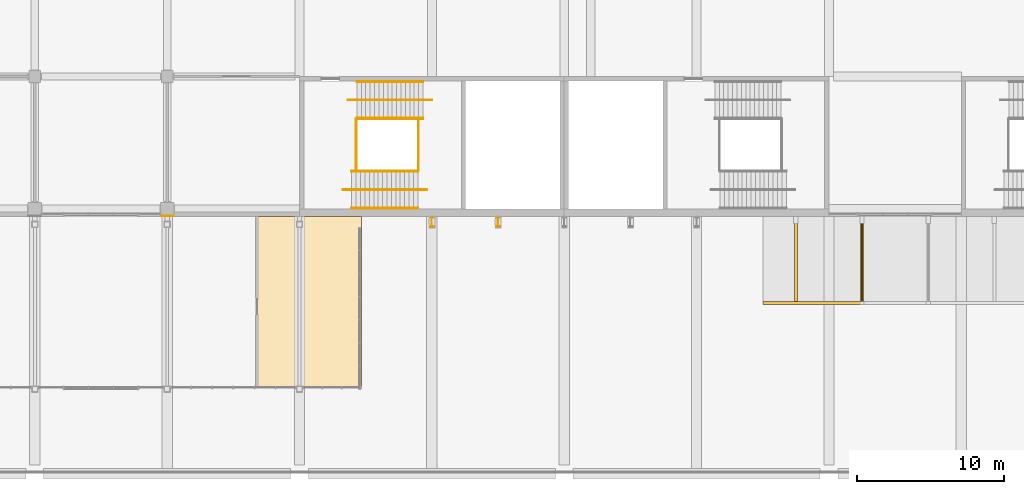
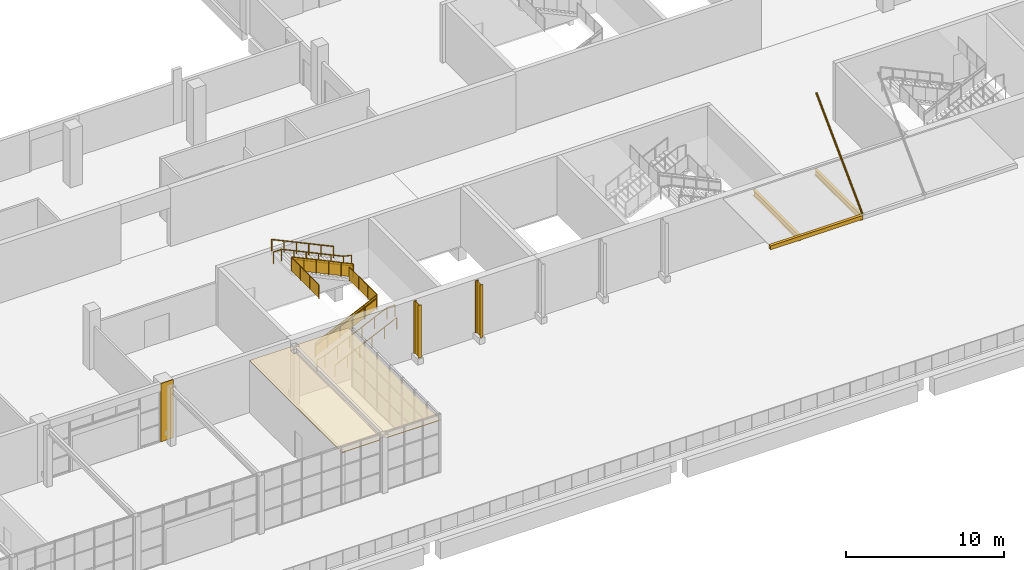
# One storey, part 150 of 168: 10 railings, 6 shading devices, 2 coverings.
"""IFC4 building model written with IfcOpenShell, lengths in metres."""

from ifc_helpers import new_model, si_unit, direction, frame, origin, origin_2d, place, context, subcontext, project, spatial, polyline, hollow_rectangle, circle, hollow_circle, i_section, outline, extrude, material, layer, layer_set, material_profile, profile_set, type_object, element, save


model = new_model("IFC4")

# Units and contexts
model_context = context("Model", 3, precision=1e-05, world=origin(), true_north=direction((0.0, 1.0)))
body_context = subcontext(model_context, "Body", "Model", "MODEL_VIEW")
ifc_project = project(units=[si_unit("LENGTHUNIT", "METRE"), si_unit("AREAUNIT", "SQUARE_METRE"), si_unit("VOLUMEUNIT", "CUBIC_METRE"), si_unit("PLANEANGLEUNIT", "RADIAN"), si_unit("MASSUNIT", "GRAM", prefix="KILO")], contexts=[model_context])

# Site, building, storey
site_placement = place(None, origin())
site = spatial("IfcSite", under=ifc_project, at=site_placement, CompositionType="ELEMENT")
building_placement = place(site_placement, origin())
building = spatial("IfcBuilding", under=site, at=building_placement, Name="Silverbay Arena", CompositionType="ELEMENT")
storey_placement = place(building_placement, frame((0.0, 0.0, 7.0)))
storey = spatial("IfcBuildingStorey", under=building, at=storey_placement, Name="L01", CompositionType="ELEMENT", Elevation=7.0)

# Coverings
ifc_material_1 = material(Name="Aluminium composite cladding", Category="aluminium")
ifc_layer_1 = layer(ifc_material_1, 0.050048828125)
ifc_layer_set_1 = layer_set([ifc_layer_1], Name="Aluminium composite cladding")
covering_type_1 = type_object("IfcCoveringType", Name="Column cladding 50", PredefinedType="CLADDING", material=ifc_layer_set_1)
covering_1_placement = place(storey_placement, origin())
element("IfcCovering", 1, at=covering_1_placement, inside=storey, type_object=covering_type_1, Name="South column cladding L01 3", PredefinedType="CLADDING", context=body_context, shape_type="SweptSolid", body=[
    extrude(outline(polyline([(134.550048828125, 17.5), (135.449951171875, 17.5), (135.449951171875, 17.550048828125), (134.550048828125, 17.550048828125), (134.550048828125, 17.5)])), origin(), (0.0, 0.0, 1.0), 4.5),
])
ifc_material_2 = material(Name="Fire-resisting board ceiling")
ifc_layer_2 = layer(ifc_material_2, 0.050048828125)
ifc_layer_set_2 = layer_set([ifc_layer_2], Name="Fire-resisting board ceiling")
covering_type_2 = type_object("IfcCoveringType", Name="Fire-resisting ceiling EI 120", PredefinedType="CEILING", material=ifc_layer_set_2)
covering_2_placement = place(storey_placement, frame((0.0, 0.0, 3.98291015625)))
element("IfcCovering", 2, at=covering_2_placement, inside=storey, type_object=covering_type_2, Name="Staff room ceiling", PredefinedType="CEILING", context=body_context, shape_type="SweptSolid", body=[
    extrude(outline(polyline([(143.800048828125, 5.81005859375), (143.800048828125, 5.949951171875), (144.199951171875, 5.949951171875), (144.199951171875, 5.81005859375), (148.199951171875, 5.81005859375), (148.199951171875, 17.5), (141.0, 17.5), (141.0, 5.81005859375), (143.800048828125, 5.81005859375)]), holes=[polyline([(144.199951171875, 17.14990234375), (144.199951171875, 16.75), (143.800048828125, 16.75), (143.800048828125, 17.14990234375), (144.199951171875, 17.14990234375)])]), origin(), (0.0, 0.0, 1.0), 0.050048828125),
])

# Shading devices
ifc_material_3 = material(Name="Steel S355", Category="steel")
ifc_material_profile_1 = material_profile(ifc_material_3, i_section(OverallWidth=0.18994140625, OverallDepth=0.453369140625, WebThickness=0.008544921875, FlangeThickness=0.0126953125, at=origin_2d()), Name="UB 457x191x67")
ifc_profile_set_1 = profile_set([ifc_material_profile_1], Name="Steel S355")
shading_device_type_1 = type_object("IfcShadingDeviceType", Name="Marquee cantilever beam UB 457x191x67", PredefinedType="USERDEFINED", material=ifc_profile_set_1)
for number, where, z_axis, x_axis, name in (
    (3, (177.75, 17.5, 4.126708984375), (0.0, -1.0, 0.0), (1.0, 0.0, 0.0), "South marquee beam L01 bay 18.1"),
    (4, (182.25, 17.5, 4.126708984375), (0.0, -1.0, 0.0), (1.0, 0.0, 0.0), "South marquee beam L01 bay 18.2"),
):
    element("IfcShadingDevice", number, at=place(storey_placement, frame(where, z_axis=z_axis, x_axis=x_axis)), inside=storey, type_object=shading_device_type_1, Name=name, ObjectType="MARQUEE FRAME", PredefinedType="USERDEFINED", context=body_context, shape_type="SweptSolid", body=[
        extrude(i_section(OverallWidth=0.18994140625, OverallDepth=0.453369140625, WebThickness=0.008544921875, FlangeThickness=0.0126953125, at=origin_2d()), origin(), (0.0, 0.0, 1.0), 5.800048828125),
    ])
ifc_material_4 = material(Name="Steel S355", Category="steel")
ifc_material_profile_2 = material_profile(ifc_material_4, hollow_rectangle(XDim=0.199951171875, YDim=0.300048828125, WallThickness=0.008056640625, at=origin_2d()), Name="RHS 300x200x8")
ifc_profile_set_2 = profile_set([ifc_material_profile_2], Name="Steel S355")
shading_device_type_2 = type_object("IfcShadingDeviceType", Name="Marquee edge beam RHS 300x200x8", PredefinedType="USERDEFINED", material=ifc_profile_set_2)
shading_device_1_placement = place(storey_placement, frame((175.5, 11.60009765625, 4.243408203125), z_axis=(1.0, 0.0, 0.0), x_axis=(0.0, 1.0, 0.0)))
element("IfcShadingDevice", 5, at=shading_device_1_placement, inside=storey, type_object=shading_device_type_2, Name="South marquee edge beam L01 bay 18.1", ObjectType="MARQUEE FRAME", PredefinedType="USERDEFINED", context=body_context, shape_type="SweptSolid", body=[
    extrude(hollow_rectangle(XDim=0.199951171875, YDim=0.300048828125, WallThickness=0.008056640625, at=origin_2d()), origin(), (0.0, 0.0, 1.0), 6.75),
])
ifc_material_5 = material(Name="Steel S355", Category="steel")
ifc_material_profile_3 = material_profile(ifc_material_5, hollow_circle(Radius=0.06982421875, WallThickness=0.008056640625, at=origin_2d()), Name="CHS 139.7x8")
ifc_profile_set_3 = profile_set([ifc_material_profile_3], Name="Steel S355")
shading_device_type_3 = type_object("IfcShadingDeviceType", Name="Marquee tie CHS 139.7x8", PredefinedType="USERDEFINED", material=ifc_profile_set_3)
shading_device_2_placement = place(storey_placement, frame((182.25, 11.60009765625, 4.443359375), z_axis=(0.0, 0.707091949838, 0.707121612224), x_axis=(-1.0, 0.0, 0.0)))
element("IfcShadingDevice", 6, at=shading_device_2_placement, inside=storey, type_object=shading_device_type_3, Name="South marquee tie 1", ObjectType="MARQUEE FRAME", PredefinedType="USERDEFINED", context=body_context, shape_type="SweptSolid", body=[
    extrude(hollow_circle(Radius=0.06982421875, WallThickness=0.008056640625, at=origin_2d()), origin(), (0.0, 0.0, 1.0), 8.230712890625),
])

# Railings
ifc_material_6 = material(Name="Stainless steel", Category="steel")
railing_type_1 = type_object("IfcRailingType", Name="Stair guard 1100", PredefinedType="GUARDRAIL", material=ifc_material_6)
railing_1_placement = place(storey_placement, frame((147.546630859375, 20.574951171875, 0.140625)))
element("IfcRailing", 7, at=railing_1_placement, inside=storey, type_object=railing_type_1, Name="Stair ST-S3 L01 to L02 flight 1 guard left", PredefinedType="GUARDRAIL", context=body_context, shape_type="SweptSolid", body=[
    extrude(circle(Radius=0.02392578125, at=origin_2d()), frame((0.0, 0.0, 1.076171875), z_axis=(0.905458935959, 0.0, 0.424433876231), x_axis=(0.0, 1.0, 0.0)), (0.0, 0.0, 1.0), 4.969970703125),
    extrude(outline(polyline([(-0.008056640625, 0.046142578125), (0.907958984375, 0.4755859375), (0.907958984375, 1.478515625), (-0.008056640625, 1.04931640625), (-0.008056640625, 0.046142578125)])), frame((0.0, 0.0029296875, 0.0), z_axis=(0.0, -1.0, 0.0), x_axis=(1.0, 0.0, 0.0)), (0.0, 0.0, 1.0), 0.006103515625),
    extrude(outline(polyline([(-0.008056640625, 0.468017578125), (0.907958984375, 0.8974609375), (0.907958984375, 1.900390625), (-0.008056640625, 1.47119140625), (-0.008056640625, 0.468017578125)])), frame((0.89990234375, 0.0029296875, 0.0), z_axis=(0.0, -1.0, 0.0), x_axis=(1.0, 0.0, 0.0)), (0.0, 0.0, 1.0), 0.006103515625),
    extrude(outline(polyline([(-0.008056640625, 0.889892578125), (0.907958984375, 1.3193359375), (0.907958984375, 2.322265625), (-0.008056640625, 1.89306640625), (-0.008056640625, 0.889892578125)])), frame((1.800048828125, 0.0029296875, 0.0), z_axis=(0.0, -1.0, 0.0), x_axis=(1.0, 0.0, 0.0)), (0.0, 0.0, 1.0), 0.006103515625),
    extrude(outline(polyline([(-0.008056640625, 1.311767578125), (0.907958984375, 1.7412109375), (0.907958984375, 2.744140625), (-0.008056640625, 2.31494140625), (-0.008056640625, 1.311767578125)])), frame((2.699951171875, 0.0029296875, 0.0), z_axis=(0.0, -1.0, 0.0), x_axis=(1.0, 0.0, 0.0)), (0.0, 0.0, 1.0), 0.006103515625),
    extrude(outline(polyline([(-0.008056640625, 1.733642578125), (0.907958984375, 2.1630859375), (0.907958984375, 3.166015625), (-0.008056640625, 2.73681640625), (-0.008056640625, 1.733642578125)])), frame((3.60009765625, 0.0029296875, 0.0), z_axis=(0.0, -1.0, 0.0), x_axis=(1.0, 0.0, 0.0)), (0.0, 0.0, 1.0), 0.006103515625),
    extrude(circle(Radius=0.02099609375, at=origin_2d()), origin(), (0.0, 0.0, 1.0), 1.052001953125),
    extrude(circle(Radius=0.02099609375, at=origin_2d()), frame((0.89990234375, 0.0, 0.421875)), (0.0, 0.0, 1.0), 1.052001953125),
    extrude(circle(Radius=0.02099609375, at=origin_2d()), frame((1.800048828125, 0.0, 0.84375)), (0.0, 0.0, 1.0), 1.052001953125),
    extrude(circle(Radius=0.02099609375, at=origin_2d()), frame((2.699951171875, 0.0, 1.265625)), (0.0, 0.0, 1.0), 1.052001953125),
    extrude(circle(Radius=0.02099609375, at=origin_2d()), frame((3.60009765625, 0.0, 1.6875)), (0.0, 0.0, 1.0), 1.052001953125),
    extrude(circle(Radius=0.02099609375, at=origin_2d()), frame((4.5, 0.0, 2.109375)), (0.0, 0.0, 1.0), 1.052001953125),
])
railing_2_placement = place(storey_placement, frame((152.39990234375, 24.125, 2.390625)))
element("IfcRailing", 8, at=railing_2_placement, inside=storey, type_object=railing_type_1, Name="Stair ST-S3 L01 to L02 flight 2 guard right", PredefinedType="GUARDRAIL", context=body_context, shape_type="SweptSolid", body=[
    extrude(circle(Radius=0.02392578125, at=origin_2d()), frame((0.0, 0.0, 1.076171875), z_axis=(-0.905458935959, 0.0, 0.424433876231), x_axis=(0.0, -1.0, 0.0)), (0.0, 0.0, 1.0), 4.969970703125),
    extrude(outline(polyline([(-0.008056640625, 0.046142578125), (0.907958984375, 0.4755859375), (0.907958984375, 1.478515625), (-0.008056640625, 1.04931640625), (-0.008056640625, 0.046142578125)])), frame((0.0, -0.0029296875, 0.0), z_axis=(0.0, 1.0, 0.0), x_axis=(-1.0, 0.0, 0.0)), (0.0, 0.0, 1.0), 0.006103515625),
    extrude(outline(polyline([(-0.008056640625, 0.468017578125), (0.907958984375, 0.8974609375), (0.907958984375, 1.900390625), (-0.008056640625, 1.47119140625), (-0.008056640625, 0.468017578125)])), frame((-0.89990234375, -0.0029296875, 0.0), z_axis=(0.0, 1.0, 0.0), x_axis=(-1.0, 0.0, 0.0)), (0.0, 0.0, 1.0), 0.006103515625),
    extrude(outline(polyline([(-0.008056640625, 0.889892578125), (0.907958984375, 1.3193359375), (0.907958984375, 2.322265625), (-0.008056640625, 1.89306640625), (-0.008056640625, 0.889892578125)])), frame((-1.800048828125, -0.0029296875, 0.0), z_axis=(0.0, 1.0, 0.0), x_axis=(-1.0, 0.0, 0.0)), (0.0, 0.0, 1.0), 0.006103515625),
    extrude(outline(polyline([(-0.008056640625, 1.311767578125), (0.907958984375, 1.7412109375), (0.907958984375, 2.744140625), (-0.008056640625, 2.31494140625), (-0.008056640625, 1.311767578125)])), frame((-2.699951171875, -0.0029296875, 0.0), z_axis=(0.0, 1.0, 0.0), x_axis=(-1.0, 0.0, 0.0)), (0.0, 0.0, 1.0), 0.006103515625),
    extrude(outline(polyline([(-0.008056640625, 1.733642578125), (0.907958984375, 2.1630859375), (0.907958984375, 3.166015625), (-0.008056640625, 2.73681640625), (-0.008056640625, 1.733642578125)])), frame((-3.60009765625, -0.0029296875, 0.0), z_axis=(0.0, 1.0, 0.0), x_axis=(-1.0, 0.0, 0.0)), (0.0, 0.0, 1.0), 0.006103515625),
    extrude(circle(Radius=0.02099609375, at=origin_2d()), origin(), (0.0, 0.0, 1.0), 1.052001953125),
    extrude(circle(Radius=0.02099609375, at=origin_2d()), frame((-0.89990234375, 0.0, 0.421875)), (0.0, 0.0, 1.0), 1.052001953125),
    extrude(circle(Radius=0.02099609375, at=origin_2d()), frame((-1.800048828125, 0.0, 0.84375)), (0.0, 0.0, 1.0), 1.052001953125),
    extrude(circle(Radius=0.02099609375, at=origin_2d()), frame((-2.699951171875, 0.0, 1.265625)), (0.0, 0.0, 1.0), 1.052001953125),
    extrude(circle(Radius=0.02099609375, at=origin_2d()), frame((-3.60009765625, 0.0, 1.6875)), (0.0, 0.0, 1.0), 1.052001953125),
    extrude(circle(Radius=0.02099609375, at=origin_2d()), frame((-4.5, 0.0, 2.109375)), (0.0, 0.0, 1.0), 1.052001953125),
])
for number, where, name in (
    (9, (152.0966796875, 24.10009765625, 2.25), "Stair ST-S3 L01 to L02 landing 1 guard"),
    (10, (147.85009765625, 24.10009765625, 4.5), "Stair ST-S3 L01 to L02 landing 2 guard"),
):
    element("IfcRailing", number, at=place(storey_placement, frame(where)), inside=storey, type_object=railing_type_1, Name=name, PredefinedType="GUARDRAIL", context=body_context, shape_type="SweptSolid", body=[
        extrude(circle(Radius=0.02392578125, at=origin_2d()), frame((0.0, 0.0, 1.076171875), z_axis=(0.0, -1.0, 0.0), x_axis=(1.0, 0.0, 0.0)), (0.0, 0.0, 1.0), 3.5),
        extrude(outline(polyline([(-0.008056640625, 0.050048828125), (1.174560546875, 0.050048828125), (1.174560546875, 1.052978515625), (-0.008056640625, 1.052978515625), (-0.008056640625, 0.050048828125)])), frame((0.0029296875, 0.0, 0.0), z_axis=(-1.0, 0.0, 0.0), x_axis=(0.0, -1.0, 0.0)), (0.0, 0.0, 1.0), 0.006103515625),
        extrude(outline(polyline([(-0.008056640625, 0.050048828125), (1.174560546875, 0.050048828125), (1.174560546875, 1.052978515625), (-0.008056640625, 1.052978515625), (-0.008056640625, 0.050048828125)])), frame((0.0029296875, -1.166748046875, 0.0), z_axis=(-1.0, 0.0, 0.0), x_axis=(0.0, -1.0, 0.0)), (0.0, 0.0, 1.0), 0.006103515625),
        extrude(outline(polyline([(-0.008056640625, 0.050048828125), (1.174560546875, 0.050048828125), (1.174560546875, 1.052978515625), (-0.008056640625, 1.052978515625), (-0.008056640625, 0.050048828125)])), frame((0.0029296875, -2.333251953125, 0.0), z_axis=(-1.0, 0.0, 0.0), x_axis=(0.0, -1.0, 0.0)), (0.0, 0.0, 1.0), 0.006103515625),
        extrude(circle(Radius=0.02099609375, at=origin_2d()), origin(), (0.0, 0.0, 1.0), 1.052001953125),
        extrude(circle(Radius=0.02099609375, at=origin_2d()), frame((0.0, -1.166748046875, 0.0)), (0.0, 0.0, 1.0), 1.052001953125),
        extrude(circle(Radius=0.02099609375, at=origin_2d()), frame((0.0, -2.333251953125, 0.0)), (0.0, 0.0, 1.0), 1.052001953125),
        extrude(circle(Radius=0.02099609375, at=origin_2d()), frame((0.0, -3.5, 0.0)), (0.0, 0.0, 1.0), 1.052001953125),
    ])
ifc_material_7 = material(Name="Stainless steel", Category="steel")
railing_type_2 = type_object("IfcRailingType", Name="Stair handrail 900", PredefinedType="HANDRAIL", material=ifc_material_7)
for number, where, name in (
    (11, (147.546630859375, 20.535888671875, 0.140625), "Stair ST-S3 L01 to L02 flight 1 handrail left"),
    (12, (147.546630859375, 18.050048828125, 0.140625), "Stair ST-S3 L01 to L02 flight 1 handrail right"),
):
    element("IfcRailing", number, at=place(storey_placement, frame(where)), inside=storey, type_object=railing_type_2, Name=name, PredefinedType="HANDRAIL", context=body_context, shape_type="SweptSolid", body=[
        extrude(circle(Radius=0.02392578125, at=origin_2d()), frame((0.0, 0.0, 0.8759765625), z_axis=(0.905458935959, 0.0, 0.424433876231), x_axis=(0.0, 1.0, 0.0)), (0.0, 0.0, 1.0), 4.969970703125),
        extrude(circle(Radius=0.02099609375, at=origin_2d()), origin(), (0.0, 0.0, 1.0), 0.851806640625),
        extrude(circle(Radius=0.02099609375, at=origin_2d()), frame((0.89990234375, 0.0, 0.421875)), (0.0, 0.0, 1.0), 0.851806640625),
        extrude(circle(Radius=0.02099609375, at=origin_2d()), frame((1.800048828125, 0.0, 0.84375)), (0.0, 0.0, 1.0), 0.851806640625),
        extrude(circle(Radius=0.02099609375, at=origin_2d()), frame((2.699951171875, 0.0, 1.265625)), (0.0, 0.0, 1.0), 0.851806640625),
        extrude(circle(Radius=0.02099609375, at=origin_2d()), frame((3.60009765625, 0.0, 1.6875)), (0.0, 0.0, 1.0), 0.851806640625),
        extrude(circle(Radius=0.02099609375, at=origin_2d()), frame((4.5, 0.0, 2.109375)), (0.0, 0.0, 1.0), 0.851806640625),
    ])
railing_3_placement = place(storey_placement, frame((146.946533203125, 19.300048828125, 0.0)))
element("IfcRailing", 13, at=railing_3_placement, inside=storey, type_object=railing_type_2, Name="Stair ST-S3 L01 to L02 flight 1 central handrail", PredefinedType="HANDRAIL", context=body_context, shape_type="SweptSolid", body=[
    extrude(circle(Radius=0.02392578125, at=origin_2d()), frame((0.0, 0.0, 0.8759765625), z_axis=(0.973624560196, 0.0, 0.228156121511), x_axis=(0.0, 1.0, 0.0)), (0.0, 0.0, 1.0), 0.616455078125),
    extrude(circle(Radius=0.02392578125, at=origin_2d()), frame((0.60009765625, 0.0, 1.0166015625), z_axis=(0.905458935959, 0.0, 0.424433876231), x_axis=(0.0, 1.0, 0.0)), (0.0, 0.0, 1.0), 4.969970703125),
    extrude(circle(Radius=0.02392578125, at=origin_2d()), frame((5.10009765625, 0.0, 3.1259765625), z_axis=(1.0, 0.0, 0.0), x_axis=(0.0, 1.0, 0.0)), (0.0, 0.0, 1.0), 0.599853515625),
    extrude(circle(Radius=0.02099609375, at=origin_2d()), origin(), (0.0, 0.0, 1.0), 0.851806640625),
    extrude(circle(Radius=0.02099609375, at=origin_2d()), frame((0.60009765625, 0.0, 0.140625)), (0.0, 0.0, 1.0), 0.851806640625),
    extrude(circle(Radius=0.02099609375, at=origin_2d()), frame((1.5, 0.0, 0.5625)), (0.0, 0.0, 1.0), 0.851806640625),
    extrude(circle(Radius=0.02099609375, at=origin_2d()), frame((2.400146484375, 0.0, 0.984375)), (0.0, 0.0, 1.0), 0.851806640625),
    extrude(circle(Radius=0.02099609375, at=origin_2d()), frame((3.300048828125, 0.0, 1.40625)), (0.0, 0.0, 1.0), 0.851806640625),
    extrude(circle(Radius=0.02099609375, at=origin_2d()), frame((4.2001953125, 0.0, 1.828125)), (0.0, 0.0, 1.0), 0.851806640625),
    extrude(circle(Radius=0.02099609375, at=origin_2d()), frame((5.10009765625, 0.0, 2.25)), (0.0, 0.0, 1.0), 0.851806640625),
    extrude(circle(Radius=0.02099609375, at=origin_2d()), frame((5.699951171875, 0.0, 2.25)), (0.0, 0.0, 1.0), 0.851806640625),
])
for number, where, name in (
    (14, (152.39990234375, 26.64990234375, 2.390625), "Stair ST-S3 L01 to L02 flight 2 handrail left"),
    (15, (152.39990234375, 24.1640625, 2.390625), "Stair ST-S3 L01 to L02 flight 2 handrail right"),
):
    element("IfcRailing", number, at=place(storey_placement, frame(where)), inside=storey, type_object=railing_type_2, Name=name, PredefinedType="HANDRAIL", context=body_context, shape_type="SweptSolid", body=[
        extrude(circle(Radius=0.02392578125, at=origin_2d()), frame((0.0, 0.0, 0.8759765625), z_axis=(-0.905458935959, 0.0, 0.424433876231), x_axis=(0.0, -1.0, 0.0)), (0.0, 0.0, 1.0), 4.969970703125),
        extrude(circle(Radius=0.02099609375, at=origin_2d()), origin(), (0.0, 0.0, 1.0), 0.851806640625),
        extrude(circle(Radius=0.02099609375, at=origin_2d()), frame((-0.89990234375, 0.0, 0.421875)), (0.0, 0.0, 1.0), 0.851806640625),
        extrude(circle(Radius=0.02099609375, at=origin_2d()), frame((-1.800048828125, 0.0, 0.84375)), (0.0, 0.0, 1.0), 0.851806640625),
        extrude(circle(Radius=0.02099609375, at=origin_2d()), frame((-2.699951171875, 0.0, 1.265625)), (0.0, 0.0, 1.0), 0.851806640625),
        extrude(circle(Radius=0.02099609375, at=origin_2d()), frame((-3.60009765625, 0.0, 1.6875)), (0.0, 0.0, 1.0), 0.851806640625),
        extrude(circle(Radius=0.02099609375, at=origin_2d()), frame((-4.5, 0.0, 2.109375)), (0.0, 0.0, 1.0), 0.851806640625),
    ])
railing_4_placement = place(storey_placement, frame((153.0, 25.39990234375, 2.25)))
element("IfcRailing", 16, at=railing_4_placement, inside=storey, type_object=railing_type_2, Name="Stair ST-S3 L01 to L02 flight 2 central handrail", PredefinedType="HANDRAIL", context=body_context, shape_type="SweptSolid", body=[
    extrude(circle(Radius=0.02392578125, at=origin_2d()), frame((0.0, 0.0, 0.8759765625), z_axis=(-0.973624560196, 0.0, 0.228156121511), x_axis=(0.0, -1.0, 0.0)), (0.0, 0.0, 1.0), 0.616455078125),
    extrude(circle(Radius=0.02392578125, at=origin_2d()), frame((-0.60009765625, 0.0, 1.0166015625), z_axis=(-0.905458935959, 0.0, 0.424433876231), x_axis=(0.0, -1.0, 0.0)), (0.0, 0.0, 1.0), 4.969970703125),
    extrude(circle(Radius=0.02392578125, at=origin_2d()), frame((-5.10009765625, 0.0, 3.1259765625), z_axis=(-1.0, 0.0, 0.0), x_axis=(0.0, -1.0, 0.0)), (0.0, 0.0, 1.0), 0.599853515625),
    extrude(circle(Radius=0.02099609375, at=origin_2d()), origin(), (0.0, 0.0, 1.0), 0.851806640625),
    extrude(circle(Radius=0.02099609375, at=origin_2d()), frame((-0.60009765625, 0.0, 0.140625)), (0.0, 0.0, 1.0), 0.851806640625),
    extrude(circle(Radius=0.02099609375, at=origin_2d()), frame((-1.5, 0.0, 0.5625)), (0.0, 0.0, 1.0), 0.851806640625),
    extrude(circle(Radius=0.02099609375, at=origin_2d()), frame((-2.400146484375, 0.0, 0.984375)), (0.0, 0.0, 1.0), 0.851806640625),
    extrude(circle(Radius=0.02099609375, at=origin_2d()), frame((-3.300048828125, 0.0, 1.40625)), (0.0, 0.0, 1.0), 0.851806640625),
    extrude(circle(Radius=0.02099609375, at=origin_2d()), frame((-4.2001953125, 0.0, 1.828125)), (0.0, 0.0, 1.0), 0.851806640625),
    extrude(circle(Radius=0.02099609375, at=origin_2d()), frame((-5.10009765625, 0.0, 2.25)), (0.0, 0.0, 1.0), 0.851806640625),
    extrude(circle(Radius=0.02099609375, at=origin_2d()), frame((-5.699951171875, 0.0, 2.25)), (0.0, 0.0, 1.0), 0.851806640625),
])

# Shading devices
ifc_material_8 = material(Name="Steel S355", Category="steel")
ifc_material_profile_4 = material_profile(ifc_material_8, i_section(OverallWidth=0.2275390625, OverallDepth=0.6025390625, WebThickness=0.010498046875, FlangeThickness=0.014892578125, at=origin_2d()), Name="UB 610x229x101")
ifc_profile_set_4 = profile_set([ifc_material_profile_4], Name="Steel S355")
shading_device_type_4 = type_object("IfcShadingDeviceType", Name="Steel fin UB 610x229x101", PredefinedType="USERDEFINED", material=ifc_profile_set_4)
for number, where, z_axis, x_axis, name in (
    (17, (153.0, 17.0986328125, 0.449951171875), (0.0, 0.0, 1.0), (1.0, 0.0, 0.0), "Steel fin S L01 22"),
    (18, (157.5, 17.0986328125, 0.449951171875), (0.0, 0.0, 1.0), (1.0, 0.0, 0.0), "Steel fin S L01 23"),
):
    element("IfcShadingDevice", number, at=place(storey_placement, frame(where, z_axis=z_axis, x_axis=x_axis)), inside=storey, type_object=shading_device_type_4, Name=name, ObjectType="FIN", PredefinedType="USERDEFINED", context=body_context, shape_type="SweptSolid", body=[
        extrude(i_section(OverallWidth=0.2275390625, OverallDepth=0.6025390625, WebThickness=0.010498046875, FlangeThickness=0.014892578125, at=origin_2d()), origin(), (0.0, 0.0, 1.0), 4.050048828125),
    ])

save(model, "model.ifc")
